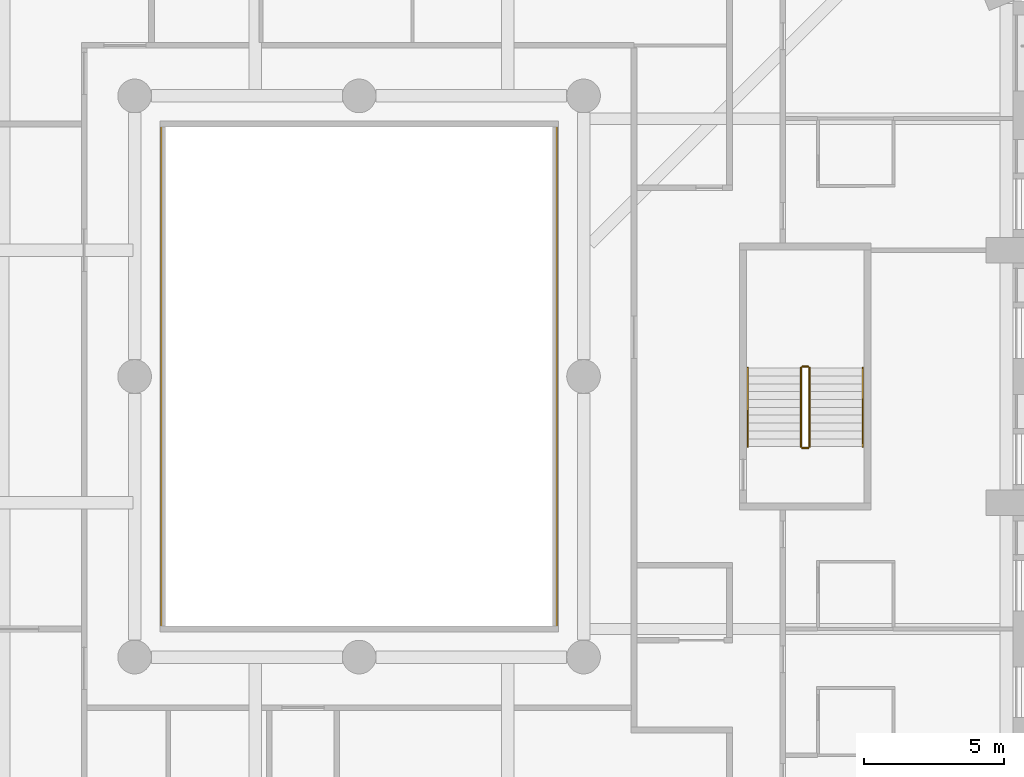
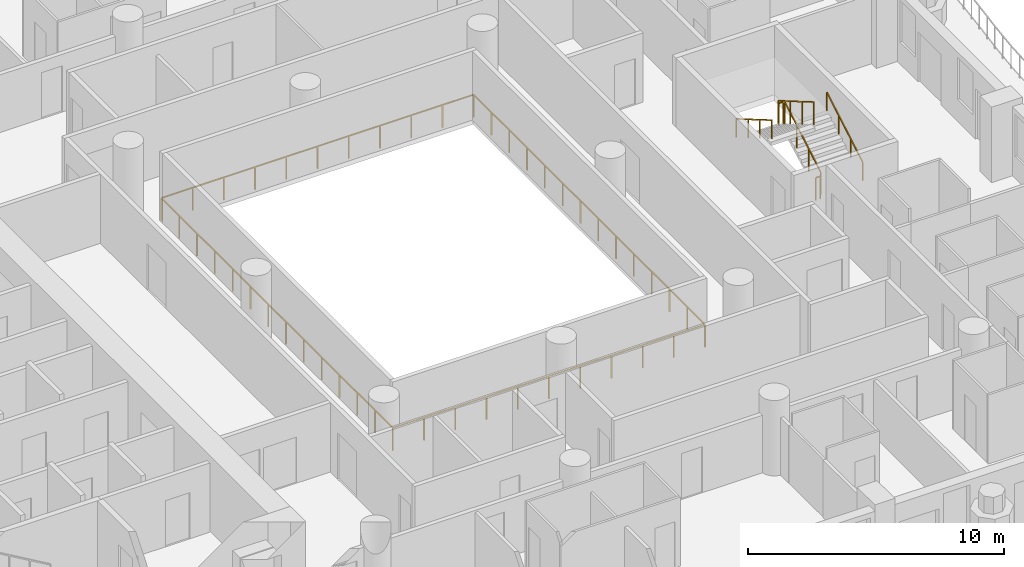
# One storey, part 15 of 20: 7 railings.
"""IFC4 building model written with IfcOpenShell, lengths in metres."""

from ifc_helpers import new_model, si_unit, direction, frame, origin, origin_2d, place, context, subcontext, project, spatial, rectangle, extrude, material, type_object, element, save


model = new_model("IFC4")

# Units and contexts
model_context = context("Model", 3, precision=1e-05, world=origin(), true_north=direction((0.0, 1.0)))
body_context = subcontext(model_context, "Body", "Model", "MODEL_VIEW")
ifc_project = project(units=[si_unit("LENGTHUNIT", "METRE"), si_unit("AREAUNIT", "SQUARE_METRE"), si_unit("VOLUMEUNIT", "CUBIC_METRE"), si_unit("PLANEANGLEUNIT", "RADIAN"), si_unit("MASSUNIT", "GRAM", prefix="KILO")], contexts=[model_context])

# Site, building, storey
site_placement = place(None, origin())
site = spatial("IfcSite", under=ifc_project, at=site_placement, CompositionType="ELEMENT")
building_placement = place(site_placement, origin())
building = spatial("IfcBuilding", under=site, at=building_placement, Name="Cypress Arch Tower", CompositionType="ELEMENT")
storey_placement = place(building_placement, frame((0.0, 0.0, 87.89990234375)))
storey = spatial("IfcBuildingStorey", under=building, at=storey_placement, Name="L16", CompositionType="ELEMENT", Elevation=87.89990234375)

# Railings
ifc_material_1 = material(Name="Stainless steel posts and handrail, laminated glass infill", Category="steel")
railing_type_1 = type_object("IfcRailingType", Name="Atrium guard GR1100A", PredefinedType="GUARDRAIL", material=ifc_material_1)
railing_1_placement = place(storey_placement, frame((8.050048828125, -9.050048828125, 0.0)))
element("IfcRailing", 1, at=railing_1_placement, inside=storey, type_object=railing_type_1, Name="Atrium guard L16", PredefinedType="GUARDRAIL", context=body_context, shape_type="SweptSolid", body=[
    extrude(rectangle(XDim=0.050048828125, YDim=0.050048828125, at=origin_2d()), frame((0.0, 0.0, 1.0751953125), z_axis=(-1.0, 0.0, 0.0), x_axis=(0.0, -1.0, 0.0)), (0.0, 0.0, 1.0), 14.10009765625),
    extrude(rectangle(XDim=0.050048828125, YDim=0.050048828125, at=origin_2d()), frame((-14.10009765625, 0.0, 1.0751953125), z_axis=(0.0, 1.0, 0.0), x_axis=(-1.0, 0.0, 0.0)), (0.0, 0.0, 1.0), 18.10009765625),
    extrude(rectangle(XDim=0.050048828125, YDim=0.050048828125, at=origin_2d()), frame((-14.10009765625, 18.10009765625, 1.0751953125), z_axis=(1.0, 0.0, 0.0), x_axis=(0.0, 1.0, 0.0)), (0.0, 0.0, 1.0), 14.10009765625),
    extrude(rectangle(XDim=0.050048828125, YDim=0.050048828125, at=origin_2d()), frame((0.0, 18.10009765625, 1.0751953125), z_axis=(0.0, -1.0, 0.0), x_axis=(1.0, 0.0, 0.0)), (0.0, 0.0, 1.0), 18.10009765625),
    extrude(rectangle(XDim=0.050048828125, YDim=0.050048828125, at=origin_2d()), origin(), (0.0, 0.0, 1.0), 1.050048828125),
    extrude(rectangle(XDim=0.050048828125, YDim=0.050048828125, at=origin_2d()), frame((-1.409912109375, 0.0, 0.0)), (0.0, 0.0, 1.0), 1.050048828125),
    extrude(rectangle(XDim=0.050048828125, YDim=0.050048828125, at=origin_2d()), frame((-2.820068359375, 0.0, 0.0)), (0.0, 0.0, 1.0), 1.050048828125),
    extrude(rectangle(XDim=0.050048828125, YDim=0.050048828125, at=origin_2d()), frame((-4.22998046875, 0.0, 0.0)), (0.0, 0.0, 1.0), 1.050048828125),
    extrude(rectangle(XDim=0.050048828125, YDim=0.050048828125, at=origin_2d()), frame((-5.64013671875, 0.0, 0.0)), (0.0, 0.0, 1.0), 1.050048828125),
    extrude(rectangle(XDim=0.050048828125, YDim=0.050048828125, at=origin_2d()), frame((-7.050048828125, 0.0, 0.0)), (0.0, 0.0, 1.0), 1.050048828125),
    extrude(rectangle(XDim=0.050048828125, YDim=0.050048828125, at=origin_2d()), frame((-8.4599609375, 0.0, 0.0)), (0.0, 0.0, 1.0), 1.050048828125),
    extrude(rectangle(XDim=0.050048828125, YDim=0.050048828125, at=origin_2d()), frame((-9.8701171875, 0.0, 0.0)), (0.0, 0.0, 1.0), 1.050048828125),
    extrude(rectangle(XDim=0.050048828125, YDim=0.050048828125, at=origin_2d()), frame((-11.280029296875, 0.0, 0.0)), (0.0, 0.0, 1.0), 1.050048828125),
    extrude(rectangle(XDim=0.050048828125, YDim=0.050048828125, at=origin_2d()), frame((-12.690185546875, 0.0, 0.0)), (0.0, 0.0, 1.0), 1.050048828125),
    extrude(rectangle(XDim=0.050048828125, YDim=0.050048828125, at=origin_2d()), frame((-14.10009765625, 0.0, 0.0)), (0.0, 0.0, 1.0), 1.050048828125),
    extrude(rectangle(XDim=0.050048828125, YDim=0.050048828125, at=origin_2d()), frame((-14.10009765625, 1.392333984375, 0.0)), (0.0, 0.0, 1.0), 1.050048828125),
    extrude(rectangle(XDim=0.050048828125, YDim=0.050048828125, at=origin_2d()), frame((-14.10009765625, 2.78466796875, 0.0)), (0.0, 0.0, 1.0), 1.050048828125),
    extrude(rectangle(XDim=0.050048828125, YDim=0.050048828125, at=origin_2d()), frame((-14.10009765625, 4.177001953125, 0.0)), (0.0, 0.0, 1.0), 1.050048828125),
    extrude(rectangle(XDim=0.050048828125, YDim=0.050048828125, at=origin_2d()), frame((-14.10009765625, 5.5693359375, 0.0)), (0.0, 0.0, 1.0), 1.050048828125),
    extrude(rectangle(XDim=0.050048828125, YDim=0.050048828125, at=origin_2d()), frame((-14.10009765625, 6.961669921875, 0.0)), (0.0, 0.0, 1.0), 1.050048828125),
    extrude(rectangle(XDim=0.050048828125, YDim=0.050048828125, at=origin_2d()), frame((-14.10009765625, 8.35400390625, 0.0)), (0.0, 0.0, 1.0), 1.050048828125),
    extrude(rectangle(XDim=0.050048828125, YDim=0.050048828125, at=origin_2d()), frame((-14.10009765625, 9.74609375, 0.0)), (0.0, 0.0, 1.0), 1.050048828125),
    extrude(rectangle(XDim=0.050048828125, YDim=0.050048828125, at=origin_2d()), frame((-14.10009765625, 11.138427734375, 0.0)), (0.0, 0.0, 1.0), 1.050048828125),
    extrude(rectangle(XDim=0.050048828125, YDim=0.050048828125, at=origin_2d()), frame((-14.10009765625, 12.53076171875, 0.0)), (0.0, 0.0, 1.0), 1.050048828125),
    extrude(rectangle(XDim=0.050048828125, YDim=0.050048828125, at=origin_2d()), frame((-14.10009765625, 13.923095703125, 0.0)), (0.0, 0.0, 1.0), 1.050048828125),
    extrude(rectangle(XDim=0.050048828125, YDim=0.050048828125, at=origin_2d()), frame((-14.10009765625, 15.3154296875, 0.0)), (0.0, 0.0, 1.0), 1.050048828125),
    extrude(rectangle(XDim=0.050048828125, YDim=0.050048828125, at=origin_2d()), frame((-14.10009765625, 16.707763671875, 0.0)), (0.0, 0.0, 1.0), 1.050048828125),
    extrude(rectangle(XDim=0.050048828125, YDim=0.050048828125, at=origin_2d()), frame((-14.10009765625, 18.10009765625, 0.0)), (0.0, 0.0, 1.0), 1.050048828125),
    extrude(rectangle(XDim=0.050048828125, YDim=0.050048828125, at=origin_2d()), frame((-12.690185546875, 18.10009765625, 0.0)), (0.0, 0.0, 1.0), 1.050048828125),
    extrude(rectangle(XDim=0.050048828125, YDim=0.050048828125, at=origin_2d()), frame((-11.280029296875, 18.10009765625, 0.0)), (0.0, 0.0, 1.0), 1.050048828125),
    extrude(rectangle(XDim=0.050048828125, YDim=0.050048828125, at=origin_2d()), frame((-9.8701171875, 18.10009765625, 0.0)), (0.0, 0.0, 1.0), 1.050048828125),
    extrude(rectangle(XDim=0.050048828125, YDim=0.050048828125, at=origin_2d()), frame((-8.4599609375, 18.10009765625, 0.0)), (0.0, 0.0, 1.0), 1.050048828125),
    extrude(rectangle(XDim=0.050048828125, YDim=0.050048828125, at=origin_2d()), frame((-7.050048828125, 18.10009765625, 0.0)), (0.0, 0.0, 1.0), 1.050048828125),
    extrude(rectangle(XDim=0.050048828125, YDim=0.050048828125, at=origin_2d()), frame((-5.64013671875, 18.10009765625, 0.0)), (0.0, 0.0, 1.0), 1.050048828125),
    extrude(rectangle(XDim=0.050048828125, YDim=0.050048828125, at=origin_2d()), frame((-4.22998046875, 18.10009765625, 0.0)), (0.0, 0.0, 1.0), 1.050048828125),
    extrude(rectangle(XDim=0.050048828125, YDim=0.050048828125, at=origin_2d()), frame((-2.820068359375, 18.10009765625, 0.0)), (0.0, 0.0, 1.0), 1.050048828125),
    extrude(rectangle(XDim=0.050048828125, YDim=0.050048828125, at=origin_2d()), frame((-1.409912109375, 18.10009765625, 0.0)), (0.0, 0.0, 1.0), 1.050048828125),
    extrude(rectangle(XDim=0.050048828125, YDim=0.050048828125, at=origin_2d()), frame((0.0, 18.10009765625, 0.0)), (0.0, 0.0, 1.0), 1.050048828125),
    extrude(rectangle(XDim=0.050048828125, YDim=0.050048828125, at=origin_2d()), frame((0.0, 16.707763671875, 0.0)), (0.0, 0.0, 1.0), 1.050048828125),
    extrude(rectangle(XDim=0.050048828125, YDim=0.050048828125, at=origin_2d()), frame((0.0, 15.3154296875, 0.0)), (0.0, 0.0, 1.0), 1.050048828125),
    extrude(rectangle(XDim=0.050048828125, YDim=0.050048828125, at=origin_2d()), frame((0.0, 13.923095703125, 0.0)), (0.0, 0.0, 1.0), 1.050048828125),
    extrude(rectangle(XDim=0.050048828125, YDim=0.050048828125, at=origin_2d()), frame((0.0, 12.53076171875, 0.0)), (0.0, 0.0, 1.0), 1.050048828125),
    extrude(rectangle(XDim=0.050048828125, YDim=0.050048828125, at=origin_2d()), frame((0.0, 11.138427734375, 0.0)), (0.0, 0.0, 1.0), 1.050048828125),
    extrude(rectangle(XDim=0.050048828125, YDim=0.050048828125, at=origin_2d()), frame((0.0, 9.74609375, 0.0)), (0.0, 0.0, 1.0), 1.050048828125),
    extrude(rectangle(XDim=0.050048828125, YDim=0.050048828125, at=origin_2d()), frame((0.0, 8.35400390625, 0.0)), (0.0, 0.0, 1.0), 1.050048828125),
    extrude(rectangle(XDim=0.050048828125, YDim=0.050048828125, at=origin_2d()), frame((0.0, 6.961669921875, 0.0)), (0.0, 0.0, 1.0), 1.050048828125),
    extrude(rectangle(XDim=0.050048828125, YDim=0.050048828125, at=origin_2d()), frame((0.0, 5.5693359375, 0.0)), (0.0, 0.0, 1.0), 1.050048828125),
    extrude(rectangle(XDim=0.050048828125, YDim=0.050048828125, at=origin_2d()), frame((0.0, 4.177001953125, 0.0)), (0.0, 0.0, 1.0), 1.050048828125),
    extrude(rectangle(XDim=0.050048828125, YDim=0.050048828125, at=origin_2d()), frame((0.0, 2.78466796875, 0.0)), (0.0, 0.0, 1.0), 1.050048828125),
    extrude(rectangle(XDim=0.050048828125, YDim=0.050048828125, at=origin_2d()), frame((0.0, 1.392333984375, 0.0)), (0.0, 0.0, 1.0), 1.050048828125),
])
ifc_material_2 = material(Name="Black powder-coated steel square bar 48 mm", Category="steel")
railing_type_2 = type_object("IfcRailingType", Name="Stair handrail HR1", PredefinedType="HANDRAIL", material=ifc_material_2)
railing_2_placement = place(storey_placement, frame((18.949951171875, -2.5, 0.163818359375)))
element("IfcRailing", 2, at=railing_2_placement, inside=storey, type_object=railing_type_2, Name="L16 C stair handrail 1", PredefinedType="HANDRAIL", context=body_context, shape_type="SweptSolid", body=[
    extrude(rectangle(XDim=0.048095703125, YDim=0.048095703125, at=origin_2d()), frame((0.0, 0.0, 0.8759765625), z_axis=(0.0, 0.863393664356, 0.504530851732), x_axis=(-1.0, 0.0, 0.0)), (0.0, 0.0, 1.0), 3.2431640625),
    extrude(rectangle(XDim=0.0419921875, YDim=0.0419921875, at=origin_2d()), origin(), (0.0, 0.0, 1.0), 0.851806640625),
    extrude(rectangle(XDim=0.0419921875, YDim=0.0419921875, at=origin_2d()), frame((0.0, 0.933349609375, 0.54541015625)), (0.0, 0.0, 1.0), 0.851806640625),
    extrude(rectangle(XDim=0.0419921875, YDim=0.0419921875, at=origin_2d()), frame((0.0, 1.86669921875, 1.0908203125)), (0.0, 0.0, 1.0), 0.851806640625),
    extrude(rectangle(XDim=0.0419921875, YDim=0.0419921875, at=origin_2d()), frame((0.0, 2.800048828125, 1.63623046875)), (0.0, 0.0, 1.0), 0.851806640625),
])
railing_3_placement = place(storey_placement, frame((14.85009765625, 0.300048828125, 1.963623046875)))
element("IfcRailing", 3, at=railing_3_placement, inside=storey, type_object=railing_type_2, Name="L16 C stair handrail 2", PredefinedType="HANDRAIL", context=body_context, shape_type="SweptSolid", body=[
    extrude(rectangle(XDim=0.048095703125, YDim=0.048095703125, at=origin_2d()), frame((0.0, 0.0, 0.8759765625), z_axis=(0.0, -0.863360870873, 0.504586966384), x_axis=(1.0, 0.0, 0.0)), (0.0, 0.0, 1.0), 3.2431640625),
    extrude(rectangle(XDim=0.0419921875, YDim=0.0419921875, at=origin_2d()), origin(), (0.0, 0.0, 1.0), 0.851806640625),
    extrude(rectangle(XDim=0.0419921875, YDim=0.0419921875, at=origin_2d()), frame((0.0, -0.933349609375, 0.54541015625)), (0.0, 0.0, 1.0), 0.851806640625),
    extrude(rectangle(XDim=0.0419921875, YDim=0.0419921875, at=origin_2d()), frame((0.0, -1.86669921875, 1.091064453125)), (0.0, 0.0, 1.0), 0.851806640625),
    extrude(rectangle(XDim=0.0419921875, YDim=0.0419921875, at=origin_2d()), frame((0.0, -2.800048828125, 1.636474609375)), (0.0, 0.0, 1.0), 0.851806640625),
])
ifc_material_3 = material(Name="Black powder-coated steel balusters", Category="steel")
railing_type_3 = type_object("IfcRailingType", Name="Stair well guard G1", PredefinedType="GUARDRAIL", material=ifc_material_3)
railing_4_placement = place(storey_placement, frame((17.050048828125, -2.5, 0.163818359375)))
element("IfcRailing", 4, at=railing_4_placement, inside=storey, type_object=railing_type_3, Name="L16 C stair guard 1", PredefinedType="GUARDRAIL", context=body_context, shape_type="SweptSolid", body=[
    extrude(rectangle(XDim=0.048095703125, YDim=0.048095703125, at=origin_2d()), frame((0.0, 0.0, 1.076171875), z_axis=(0.0, 0.863393664356, 0.504530851732), x_axis=(-1.0, 0.0, 0.0)), (0.0, 0.0, 1.0), 3.2431640625),
    extrude(rectangle(XDim=0.0419921875, YDim=0.0419921875, at=origin_2d()), origin(), (0.0, 0.0, 1.0), 1.052001953125),
    extrude(rectangle(XDim=0.0419921875, YDim=0.0419921875, at=origin_2d()), frame((0.0, 0.933349609375, 0.54541015625)), (0.0, 0.0, 1.0), 1.052001953125),
    extrude(rectangle(XDim=0.0419921875, YDim=0.0419921875, at=origin_2d()), frame((0.0, 1.86669921875, 1.0908203125)), (0.0, 0.0, 1.0), 1.052001953125),
    extrude(rectangle(XDim=0.0419921875, YDim=0.0419921875, at=origin_2d()), frame((0.0, 2.800048828125, 1.63623046875)), (0.0, 0.0, 1.0), 1.052001953125),
])
railing_5_placement = place(storey_placement, frame((17.0, 0.35009765625, 1.800048828125)))
element("IfcRailing", 5, at=railing_5_placement, inside=storey, type_object=railing_type_3, Name="L16 C stair guard 2", PredefinedType="GUARDRAIL", context=body_context, shape_type="SweptSolid", body=[
    extrude(rectangle(XDim=0.048095703125, YDim=0.048095703125, at=origin_2d()), frame((0.0, 0.0, 1.076171875), z_axis=(-1.0, 0.0, 0.0), x_axis=(0.0, -1.0, 0.0)), (0.0, 0.0, 1.0), 0.199951171875),
    extrude(rectangle(XDim=0.0419921875, YDim=0.0419921875, at=origin_2d()), origin(), (0.0, 0.0, 1.0), 1.052001953125),
    extrude(rectangle(XDim=0.0419921875, YDim=0.0419921875, at=origin_2d()), frame((-0.199951171875, 0.0, 0.0)), (0.0, 0.0, 1.0), 1.052001953125),
])
railing_6_placement = place(storey_placement, frame((16.75, 0.300048828125, 1.963623046875)))
element("IfcRailing", 6, at=railing_6_placement, inside=storey, type_object=railing_type_3, Name="L16 C stair guard 3", PredefinedType="GUARDRAIL", context=body_context, shape_type="SweptSolid", body=[
    extrude(rectangle(XDim=0.048095703125, YDim=0.048095703125, at=origin_2d()), frame((0.0, 0.0, 1.076171875), z_axis=(0.0, -0.863360870873, 0.504586966384), x_axis=(1.0, 0.0, 0.0)), (0.0, 0.0, 1.0), 3.2431640625),
    extrude(rectangle(XDim=0.0419921875, YDim=0.0419921875, at=origin_2d()), origin(), (0.0, 0.0, 1.0), 1.052001953125),
    extrude(rectangle(XDim=0.0419921875, YDim=0.0419921875, at=origin_2d()), frame((0.0, -0.933349609375, 0.54541015625)), (0.0, 0.0, 1.0), 1.052001953125),
    extrude(rectangle(XDim=0.0419921875, YDim=0.0419921875, at=origin_2d()), frame((0.0, -1.86669921875, 1.091064453125)), (0.0, 0.0, 1.0), 1.052001953125),
    extrude(rectangle(XDim=0.0419921875, YDim=0.0419921875, at=origin_2d()), frame((0.0, -2.800048828125, 1.636474609375)), (0.0, 0.0, 1.0), 1.052001953125),
])
railing_7_placement = place(storey_placement, frame((17.0, -2.550048828125, 0.0)))
element("IfcRailing", 7, at=railing_7_placement, inside=storey, type_object=railing_type_3, Name="L16 C stair guard 4", PredefinedType="GUARDRAIL", context=body_context, shape_type="SweptSolid", body=[
    extrude(rectangle(XDim=0.048095703125, YDim=0.048095703125, at=origin_2d()), frame((0.0, 0.0, 1.076171875), z_axis=(-1.0, 0.0, 0.0), x_axis=(0.0, -1.0, 0.0)), (0.0, 0.0, 1.0), 0.199951171875),
    extrude(rectangle(XDim=0.0419921875, YDim=0.0419921875, at=origin_2d()), origin(), (0.0, 0.0, 1.0), 1.052001953125),
    extrude(rectangle(XDim=0.0419921875, YDim=0.0419921875, at=origin_2d()), frame((-0.199951171875, 0.0, 0.0)), (0.0, 0.0, 1.0), 1.052001953125),
])

save(model, "model.ifc")
